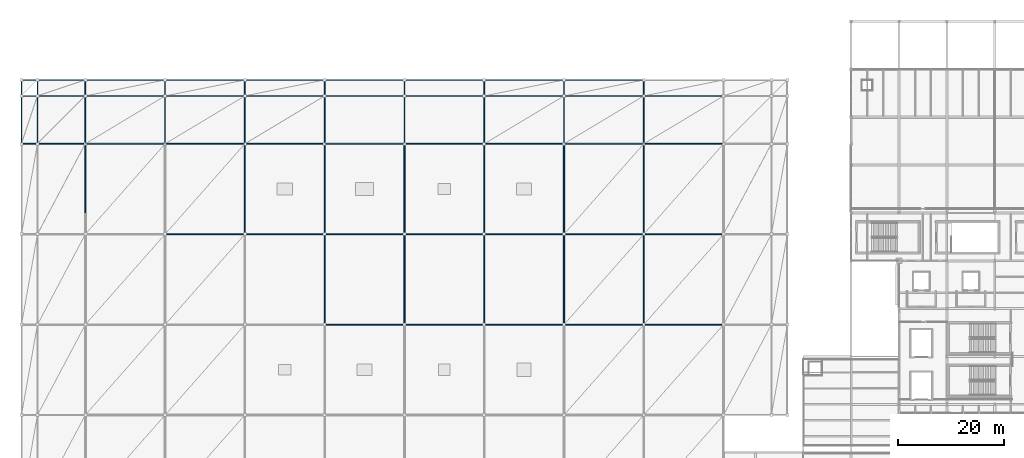
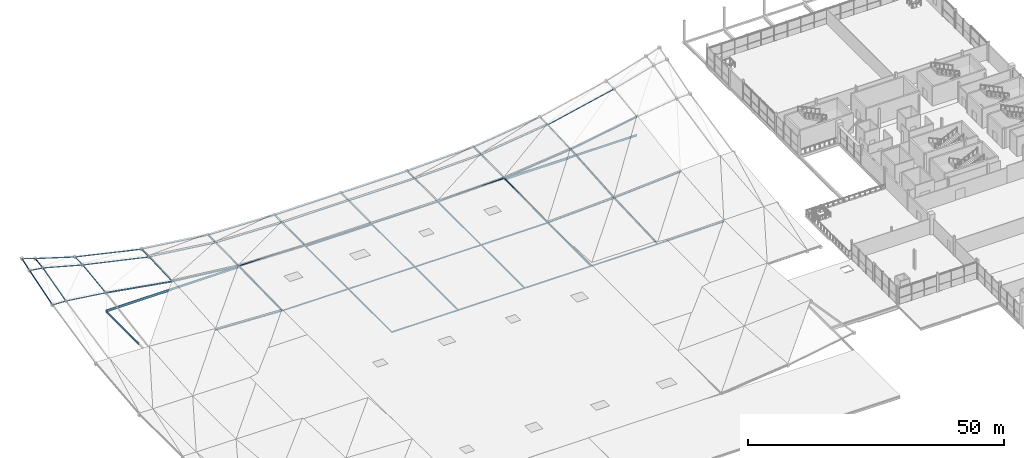
# One storey, part 12 of 69: 72 members, 6 beams.
"""IFC4 building model written with IfcOpenShell, lengths in metres."""

from ifc_helpers import new_model, si_unit, direction, frame, origin, origin_2d, place, context, subcontext, project, spatial, hollow_circle, i_section, extrude, material, material_profile, profile_set, type_object, element, save


model = new_model("IFC4")

# Units and contexts
model_context = context("Model", 3, precision=1e-05, world=origin(), true_north=direction((0.0, 1.0)))
body_context = subcontext(model_context, "Body", "Model", "MODEL_VIEW")
ifc_project = project(units=[si_unit("LENGTHUNIT", "METRE"), si_unit("AREAUNIT", "SQUARE_METRE"), si_unit("VOLUMEUNIT", "CUBIC_METRE"), si_unit("PLANEANGLEUNIT", "RADIAN"), si_unit("MASSUNIT", "GRAM", prefix="KILO")], contexts=[model_context])

# Site, building, storey
site_placement = place(None, origin())
site = spatial("IfcSite", under=ifc_project, at=site_placement, CompositionType="ELEMENT")
building_placement = place(site_placement, origin())
building = spatial("IfcBuilding", under=site, at=building_placement, Name="Qamarlyn Nura Convention Centre", CompositionType="ELEMENT")
storey_placement = place(building_placement, frame((0.0, 0.0, 15.60009765625)))
storey = spatial("IfcBuildingStorey", under=building, at=storey_placement, Name="L03", CompositionType="ELEMENT", Elevation=15.60009765625)

# Beams
ifc_material_1 = material(Name="Steel ASTM A992", Category="steel")
ifc_material_profile_1 = material_profile(ifc_material_1, i_section(OverallWidth=0.193115234375, OverallDepth=0.466064453125, WebThickness=0.011474609375, FlangeThickness=0.01904296875, FilletRadius=0.012939453125, at=origin_2d()), Name="W460X97")
ifc_profile_set_1 = profile_set([ifc_material_profile_1], Name="Steel ASTM A992")
beam_type_1 = type_object("IfcBeamType", Name="BM-SPAN-460", PredefinedType="SPANDREL", material=ifc_profile_set_1)
for number, where, z_axis, x_axis, name in (
    (1, (15.0, 103.0, -0.233154296875), (1.0, 0.0, 0.0), (0.0, 1.0, 0.0), "L03 girder M 2-3"),
    (2, (105.0, 103.0, -0.233154296875), (1.0, 0.0, 0.0), (0.0, 1.0, 0.0), "L03 girder M 8-9"),
):
    element("IfcBeam", number, at=place(storey_placement, frame(where, z_axis=z_axis, x_axis=x_axis)), inside=storey, type_object=beam_type_1, Name=name, PredefinedType="SPANDREL", context=body_context, shape_type="SweptSolid", body=[
        extrude(i_section(OverallWidth=0.193115234375, OverallDepth=0.466064453125, WebThickness=0.011474609375, FlangeThickness=0.01904296875, FilletRadius=0.012939453125, at=origin_2d()), origin(), (0.0, 0.0, 1.0), 15.0),
    ])
beam_placement = place(storey_placement, frame((0.0, 90.0, -0.233154296875), z_axis=(0.0, 1.0, 0.0), x_axis=(-1.0, 0.0, 0.0)))
element("IfcBeam", 3, at=beam_placement, inside=storey, type_object=beam_type_1, Name="L03 girder 1 L-M", PredefinedType="SPANDREL", context=body_context, shape_type="SweptSolid", body=[
    extrude(i_section(OverallWidth=0.193115234375, OverallDepth=0.466064453125, WebThickness=0.011474609375, FlangeThickness=0.01904296875, FilletRadius=0.012939453125, at=origin_2d()), origin(), (0.0, 0.0, 1.0), 13.0),
])
ifc_material_profile_2 = material_profile(ifc_material_1, i_section(OverallWidth=0.2109375, OverallDepth=0.5390625, WebThickness=0.01171875, FlangeThickness=0.018798828125, FilletRadius=0.013916015625, at=origin_2d()), Name="W530X109")
ifc_profile_set_2 = profile_set([ifc_material_profile_2], Name="Steel ASTM A992")
beam_type_2 = type_object("IfcBeamType", Name="BM-SPAN-530", PredefinedType="SPANDREL", material=ifc_profile_set_2)
for number, where, z_axis, x_axis, name in (
    (4, (0.0, 103.0, -0.26953125), (1.0, 0.0, 0.0), (0.0, 1.0, 0.0), "L03 girder M 1-2"),
    (5, (45.0, 103.0, -0.49462890625), (1.0, 0.0, 0.0), (0.0, 1.0, 0.0), "L03 girder M 4-5"),
    (6, (90.0, 103.0, -0.26953125), (1.0, 0.0, 0.0), (0.0, 1.0, 0.0), "L03 girder M 7-8"),
):
    element("IfcBeam", number, at=place(storey_placement, frame(where, z_axis=z_axis, x_axis=x_axis)), inside=storey, type_object=beam_type_2, Name=name, PredefinedType="SPANDREL", context=body_context, shape_type="SweptSolid", body=[
        extrude(i_section(OverallWidth=0.2109375, OverallDepth=0.5390625, WebThickness=0.01171875, FlangeThickness=0.018798828125, FilletRadius=0.013916015625, at=origin_2d()), origin(), (0.0, 0.0, 1.0), 15.0),
    ])

# Members
ifc_material_2 = material(Name="Pearl-white PVDF steel ASTM A500 Grade C", Category="steel")
ifc_material_profile_3 = material_profile(ifc_material_2, hollow_circle(Radius=0.122314453125, WallThickness=0.010009765625, at=origin_2d()), Name="CHS244.5X10")
ifc_profile_set_3 = profile_set([ifc_material_profile_3], Name="Pearl-white PVDF steel ASTM A500 Grade C")
member_type_1 = type_object("IfcMemberType", Name="SF-TC-EAVE", PredefinedType="CHORD", material=ifc_profile_set_3)
member_1_placement = place(storey_placement, frame((-12.0, 103.0, 5.4072265625), z_axis=(0.999427439813, 0.0, -0.033834783119), x_axis=(0.0, 1.0, 0.0)))
element("IfcMember", 7, at=member_1_placement, inside=storey, type_object=member_type_1, Name="ROOF TRUSS space frame top chord X0-7", PredefinedType="CHORD", context=body_context, shape_type="SweptSolid", body=[
    extrude(hollow_circle(Radius=0.122314453125, WallThickness=0.010009765625, at=origin_2d()), origin(), (0.0, 0.0, 1.0), 3.001708984375),
])
member_2_placement = place(storey_placement, frame((-9.0, 103.0, 5.3056640625), z_axis=(0.991347974495, 0.0, -0.131260022339), x_axis=(0.0, 1.0, 0.0)))
element("IfcMember", 8, at=member_2_placement, inside=storey, type_object=member_type_1, Name="ROOF TRUSS space frame top chord X1-7", PredefinedType="CHORD", context=body_context, shape_type="SweptSolid", body=[
    extrude(hollow_circle(Radius=0.122314453125, WallThickness=0.010009765625, at=origin_2d()), origin(), (0.0, 0.0, 1.0), 9.07861328125),
])
member_3_placement = place(storey_placement, frame((-12.0, 112.0, 8.162841796875), z_axis=(0.990696239711, 0.0, -0.136091736054), x_axis=(0.0, 1.0, 0.0)))
element("IfcMember", 9, at=member_3_placement, inside=storey, type_object=member_type_1, Name="ROOF TRUSS space frame top chord X0-8", PredefinedType="CHORD", context=body_context, shape_type="SweptSolid", body=[
    extrude(hollow_circle(Radius=0.122314453125, WallThickness=0.010009765625, at=origin_2d()), origin(), (0.0, 0.0, 1.0), 3.028076171875),
])
member_4_placement = place(storey_placement, frame((-9.0, 112.0, 7.750732421875), z_axis=(0.965021310393, 0.0, -0.262171452463), x_axis=(0.0, 1.0, 0.0)))
element("IfcMember", 10, at=member_4_placement, inside=storey, type_object=member_type_1, Name="ROOF TRUSS space frame top chord X1-8", PredefinedType="CHORD", context=body_context, shape_type="SweptSolid", body=[
    extrude(hollow_circle(Radius=0.122314453125, WallThickness=0.010009765625, at=origin_2d()), origin(), (0.0, 0.0, 1.0), 9.326171875),
])
member_5_placement = place(storey_placement, frame((0.0, 112.0, 5.3056640625), z_axis=(0.97616125858, 0.0, -0.217046532446), x_axis=(0.0, 1.0, 0.0)))
element("IfcMember", 11, at=member_5_placement, inside=storey, type_object=member_type_1, Name="ROOF TRUSS space frame top chord X2-8", PredefinedType="CHORD", context=body_context, shape_type="SweptSolid", body=[
    extrude(hollow_circle(Radius=0.122314453125, WallThickness=0.010009765625, at=origin_2d()), origin(), (0.0, 0.0, 1.0), 15.3662109375),
])
member_6_placement = place(storey_placement, frame((15.0, 112.0, 1.970458984375), z_axis=(0.992033537048, 0.0, -0.125974050391), x_axis=(0.0, 1.0, 0.0)))
element("IfcMember", 12, at=member_6_placement, inside=storey, type_object=member_type_1, Name="ROOF TRUSS space frame top chord X3-8", PredefinedType="CHORD", context=body_context, shape_type="SweptSolid", body=[
    extrude(hollow_circle(Radius=0.122314453125, WallThickness=0.010009765625, at=origin_2d()), origin(), (0.0, 0.0, 1.0), 15.120361328125),
])
member_7_placement = place(storey_placement, frame((30.0, 112.0, 0.065673828125), z_axis=(0.999518151683, 0.0, -0.031039723851), x_axis=(0.0, 1.0, 0.0)))
element("IfcMember", 13, at=member_7_placement, inside=storey, type_object=member_type_1, Name="ROOF TRUSS space frame top chord X4-8", PredefinedType="CHORD", context=body_context, shape_type="SweptSolid", body=[
    extrude(hollow_circle(Radius=0.122314453125, WallThickness=0.010009765625, at=origin_2d()), origin(), (0.0, 0.0, 1.0), 15.00732421875),
])
for number, where, z_axis, x_axis, name in (
    (14, (45.0, 112.0, -0.400146484375), (1.0, 0.0, 0.0), (0.0, 1.0, 0.0), "ROOF TRUSS space frame top chord X5-8"),
    (15, (60.0, 112.0, -0.400146484375), (1.0, 0.0, 0.0), (0.0, 1.0, 0.0), "ROOF TRUSS space frame top chord X6-8"),
):
    element("IfcMember", number, at=place(storey_placement, frame(where, z_axis=z_axis, x_axis=x_axis)), inside=storey, type_object=member_type_1, Name=name, PredefinedType="CHORD", context=body_context, shape_type="SweptSolid", body=[
        extrude(hollow_circle(Radius=0.122314453125, WallThickness=0.010009765625, at=origin_2d()), origin(), (0.0, 0.0, 1.0), 15.0),
    ])
member_8_placement = place(storey_placement, frame((75.0, 112.0, -0.400146484375), z_axis=(0.999518151683, 0.0, 0.031039723851), x_axis=(0.0, 1.0, 0.0)))
element("IfcMember", 16, at=member_8_placement, inside=storey, type_object=member_type_1, Name="ROOF TRUSS space frame top chord X7-8", PredefinedType="CHORD", context=body_context, shape_type="SweptSolid", body=[
    extrude(hollow_circle(Radius=0.122314453125, WallThickness=0.010009765625, at=origin_2d()), origin(), (0.0, 0.0, 1.0), 15.00732421875),
])
member_9_placement = place(storey_placement, frame((90.0, 112.0, 0.065673828125), z_axis=(0.992033537048, 0.0, 0.125974050391), x_axis=(0.0, 1.0, 0.0)))
element("IfcMember", 17, at=member_9_placement, inside=storey, type_object=member_type_1, Name="ROOF TRUSS space frame top chord X8-8", PredefinedType="CHORD", context=body_context, shape_type="SweptSolid", body=[
    extrude(hollow_circle(Radius=0.122314453125, WallThickness=0.010009765625, at=origin_2d()), origin(), (0.0, 0.0, 1.0), 15.120361328125),
])
member_10_placement = place(storey_placement, frame((105.0, 112.0, 1.970458984375), z_axis=(0.97616125858, 0.0, 0.217046532446), x_axis=(0.0, 1.0, 0.0)))
element("IfcMember", 18, at=member_10_placement, inside=storey, type_object=member_type_1, Name="ROOF TRUSS space frame top chord X9-8", PredefinedType="CHORD", context=body_context, shape_type="SweptSolid", body=[
    extrude(hollow_circle(Radius=0.122314453125, WallThickness=0.010009765625, at=origin_2d()), origin(), (0.0, 0.0, 1.0), 15.3662109375),
])
member_11_placement = place(storey_placement, frame((-12.0, 115.0, 9.199951171875), z_axis=(0.945117675051, 0.0, -0.326730133758), x_axis=(0.0, 1.0, 0.0)))
element("IfcMember", 19, at=member_11_placement, inside=storey, type_object=member_type_1, Name="ROOF TRUSS space frame top chord X0-9", PredefinedType="CHORD", context=body_context, shape_type="SweptSolid", body=[
    extrude(hollow_circle(Radius=0.122314453125, WallThickness=0.010009765625, at=origin_2d()), origin(), (0.0, 0.0, 1.0), 3.17431640625),
])
member_12_placement = place(storey_placement, frame((-9.0, 115.0, 8.162841796875), z_axis=(0.956184693556, 0.0, -0.29276412316), x_axis=(0.0, 1.0, 0.0)))
element("IfcMember", 20, at=member_12_placement, inside=storey, type_object=member_type_1, Name="ROOF TRUSS space frame top chord X1-9", PredefinedType="CHORD", context=body_context, shape_type="SweptSolid", body=[
    extrude(hollow_circle(Radius=0.122314453125, WallThickness=0.010009765625, at=origin_2d()), origin(), (0.0, 0.0, 1.0), 9.412353515625),
])
member_13_placement = place(storey_placement, frame((0.0, 115.0, 5.4072265625), z_axis=(0.975159042011, 0.0, -0.221505852707), x_axis=(0.0, 1.0, 0.0)))
element("IfcMember", 21, at=member_13_placement, inside=storey, type_object=member_type_1, Name="ROOF TRUSS space frame top chord X2-9", PredefinedType="CHORD", context=body_context, shape_type="SweptSolid", body=[
    extrude(hollow_circle(Radius=0.122314453125, WallThickness=0.010009765625, at=origin_2d()), origin(), (0.0, 0.0, 1.0), 15.382080078125),
])
member_14_placement = place(storey_placement, frame((15.0, 115.0, 2.0), z_axis=(0.991857054963, 0.0, -0.127356124782), x_axis=(0.0, 1.0, 0.0)))
element("IfcMember", 22, at=member_14_placement, inside=storey, type_object=member_type_1, Name="ROOF TRUSS space frame top chord X3-9", PredefinedType="CHORD", context=body_context, shape_type="SweptSolid", body=[
    extrude(hollow_circle(Radius=0.122314453125, WallThickness=0.010009765625, at=origin_2d()), origin(), (0.0, 0.0, 1.0), 15.123046875),
])
member_15_placement = place(storey_placement, frame((30.0, 115.0, 0.073974609375), z_axis=(0.999500838855, 0.0, -0.031592295395), x_axis=(0.0, 1.0, 0.0)))
element("IfcMember", 23, at=member_15_placement, inside=storey, type_object=member_type_1, Name="ROOF TRUSS space frame top chord X4-9", PredefinedType="CHORD", context=body_context, shape_type="SweptSolid", body=[
    extrude(hollow_circle(Radius=0.122314453125, WallThickness=0.010009765625, at=origin_2d()), origin(), (0.0, 0.0, 1.0), 15.007568359375),
])
for number, where, z_axis, x_axis, name in (
    (24, (45.0, 115.0, -0.400146484375), (1.0, 0.0, 0.0), (0.0, 1.0, 0.0), "ROOF TRUSS space frame top chord X5-9"),
    (25, (60.0, 115.0, -0.400146484375), (1.0, 0.0, 0.0), (0.0, 1.0, 0.0), "ROOF TRUSS space frame top chord X6-9"),
):
    element("IfcMember", number, at=place(storey_placement, frame(where, z_axis=z_axis, x_axis=x_axis)), inside=storey, type_object=member_type_1, Name=name, PredefinedType="CHORD", context=body_context, shape_type="SweptSolid", body=[
        extrude(hollow_circle(Radius=0.122314453125, WallThickness=0.010009765625, at=origin_2d()), origin(), (0.0, 0.0, 1.0), 15.0),
    ])
member_16_placement = place(storey_placement, frame((75.0, 115.0, -0.400146484375), z_axis=(0.999500838855, 0.0, 0.031592295395), x_axis=(0.0, 1.0, 0.0)))
element("IfcMember", 26, at=member_16_placement, inside=storey, type_object=member_type_1, Name="ROOF TRUSS space frame top chord X7-9", PredefinedType="CHORD", context=body_context, shape_type="SweptSolid", body=[
    extrude(hollow_circle(Radius=0.122314453125, WallThickness=0.010009765625, at=origin_2d()), origin(), (0.0, 0.0, 1.0), 15.007568359375),
])
member_17_placement = place(storey_placement, frame((90.0, 115.0, 0.073974609375), z_axis=(0.991857054963, 0.0, 0.127356124782), x_axis=(0.0, 1.0, 0.0)))
element("IfcMember", 27, at=member_17_placement, inside=storey, type_object=member_type_1, Name="ROOF TRUSS space frame top chord X8-9", PredefinedType="CHORD", context=body_context, shape_type="SweptSolid", body=[
    extrude(hollow_circle(Radius=0.122314453125, WallThickness=0.010009765625, at=origin_2d()), origin(), (0.0, 0.0, 1.0), 15.123046875),
])
member_18_placement = place(storey_placement, frame((-12.0, 103.0, 5.4072265625), z_axis=(0.0, 0.956184693556, 0.29276412316), x_axis=(-1.0, 0.0, 0.0)))
element("IfcMember", 28, at=member_18_placement, inside=storey, type_object=member_type_1, Name="ROOF TRUSS space frame top chord Y0-7", PredefinedType="CHORD", context=body_context, shape_type="SweptSolid", body=[
    extrude(hollow_circle(Radius=0.122314453125, WallThickness=0.010009765625, at=origin_2d()), origin(), (0.0, 0.0, 1.0), 9.412353515625),
])
member_19_placement = place(storey_placement, frame((-12.0, 112.0, 8.162841796875), z_axis=(0.0, 0.945117675051, 0.326730133758), x_axis=(-1.0, 0.0, 0.0)))
element("IfcMember", 29, at=member_19_placement, inside=storey, type_object=member_type_1, Name="ROOF TRUSS space frame top chord Y0-8", PredefinedType="CHORD", context=body_context, shape_type="SweptSolid", body=[
    extrude(hollow_circle(Radius=0.122314453125, WallThickness=0.010009765625, at=origin_2d()), origin(), (0.0, 0.0, 1.0), 3.17431640625),
])
member_20_placement = place(storey_placement, frame((-9.0, 103.0, 5.3056640625), z_axis=(0.0, 0.965021310393, 0.262171452463), x_axis=(-1.0, 0.0, 0.0)))
element("IfcMember", 30, at=member_20_placement, inside=storey, type_object=member_type_1, Name="ROOF TRUSS space frame top chord Y1-7", PredefinedType="CHORD", context=body_context, shape_type="SweptSolid", body=[
    extrude(hollow_circle(Radius=0.122314453125, WallThickness=0.010009765625, at=origin_2d()), origin(), (0.0, 0.0, 1.0), 9.326171875),
])
member_21_placement = place(storey_placement, frame((-9.0, 112.0, 7.750732421875), z_axis=(0.0, 0.990696239711, 0.136091736054), x_axis=(-1.0, 0.0, 0.0)))
element("IfcMember", 31, at=member_21_placement, inside=storey, type_object=member_type_1, Name="ROOF TRUSS space frame top chord Y1-8", PredefinedType="CHORD", context=body_context, shape_type="SweptSolid", body=[
    extrude(hollow_circle(Radius=0.122314453125, WallThickness=0.010009765625, at=origin_2d()), origin(), (0.0, 0.0, 1.0), 3.028076171875),
])
member_22_placement = place(storey_placement, frame((0.0, 103.0, 4.114013671875), z_axis=(0.0, 0.991347974495, 0.131260022339), x_axis=(-1.0, 0.0, 0.0)))
element("IfcMember", 32, at=member_22_placement, inside=storey, type_object=member_type_1, Name="ROOF TRUSS space frame top chord Y2-7", PredefinedType="CHORD", context=body_context, shape_type="SweptSolid", body=[
    extrude(hollow_circle(Radius=0.122314453125, WallThickness=0.010009765625, at=origin_2d()), origin(), (0.0, 0.0, 1.0), 9.07861328125),
])
member_23_placement = place(storey_placement, frame((0.0, 112.0, 5.3056640625), z_axis=(0.0, 0.999427439813, 0.033834783119), x_axis=(-1.0, 0.0, 0.0)))
element("IfcMember", 33, at=member_23_placement, inside=storey, type_object=member_type_1, Name="ROOF TRUSS space frame top chord Y2-8", PredefinedType="CHORD", context=body_context, shape_type="SweptSolid", body=[
    extrude(hollow_circle(Radius=0.122314453125, WallThickness=0.010009765625, at=origin_2d()), origin(), (0.0, 0.0, 1.0), 3.001708984375),
])
member_24_placement = place(storey_placement, frame((15.0, 103.0, 1.568603515625), z_axis=(0.0, 0.999004649677, 0.044606164642), x_axis=(-1.0, 0.0, 0.0)))
element("IfcMember", 34, at=member_24_placement, inside=storey, type_object=member_type_1, Name="ROOF TRUSS space frame top chord Y3-7", PredefinedType="CHORD", context=body_context, shape_type="SweptSolid", body=[
    extrude(hollow_circle(Radius=0.122314453125, WallThickness=0.010009765625, at=origin_2d()), origin(), (0.0, 0.0, 1.0), 9.009033203125),
])
member_25_placement = place(storey_placement, frame((15.0, 112.0, 1.970458984375), z_axis=(0.0, 0.99995152177, 0.009846527843), x_axis=(-1.0, 0.0, 0.0)))
element("IfcMember", 35, at=member_25_placement, inside=storey, type_object=member_type_1, Name="ROOF TRUSS space frame top chord Y3-8", PredefinedType="CHORD", context=body_context, shape_type="SweptSolid", body=[
    extrude(hollow_circle(Radius=0.122314453125, WallThickness=0.010009765625, at=origin_2d()), origin(), (0.0, 0.0, 1.0), 3.000244140625),
])
member_26_placement = place(storey_placement, frame((30.0, 103.0, -0.049560546875), z_axis=(0.0, 0.999918041181, 0.012802770059), x_axis=(-1.0, 0.0, 0.0)))
element("IfcMember", 36, at=member_26_placement, inside=storey, type_object=member_type_1, Name="ROOF TRUSS space frame top chord Y4-7", PredefinedType="CHORD", context=body_context, shape_type="SweptSolid", body=[
    extrude(hollow_circle(Radius=0.122314453125, WallThickness=0.010009765625, at=origin_2d()), origin(), (0.0, 0.0, 1.0), 9.000732421875),
])
member_27_placement = place(storey_placement, frame((30.0, 112.0, 0.065673828125), z_axis=(0.0, 0.999996172079, 0.002766916492), x_axis=(-1.0, 0.0, 0.0)))
element("IfcMember", 37, at=member_27_placement, inside=storey, type_object=member_type_1, Name="ROOF TRUSS space frame top chord Y4-8", PredefinedType="CHORD", context=body_context, shape_type="SweptSolid", body=[
    extrude(hollow_circle(Radius=0.122314453125, WallThickness=0.010009765625, at=origin_2d()), origin(), (0.0, 0.0, 1.0), 3.0),
])
member_28_placement = place(storey_placement, frame((45.0, 103.0, -0.400146484375), z_axis=(0.0, 1.0, 0.0), x_axis=(-1.0, 0.0, 0.0)))
element("IfcMember", 38, at=member_28_placement, inside=storey, type_object=member_type_1, Name="ROOF TRUSS space frame top chord Y5-7", PredefinedType="CHORD", context=body_context, shape_type="SweptSolid", body=[
    extrude(hollow_circle(Radius=0.122314453125, WallThickness=0.010009765625, at=origin_2d()), origin(), (0.0, 0.0, 1.0), 9.0),
])
member_29_placement = place(storey_placement, frame((45.0, 112.0, -0.400146484375), z_axis=(0.0, 1.0, 0.0), x_axis=(-1.0, 0.0, 0.0)))
element("IfcMember", 39, at=member_29_placement, inside=storey, type_object=member_type_1, Name="ROOF TRUSS space frame top chord Y5-8", PredefinedType="CHORD", context=body_context, shape_type="SweptSolid", body=[
    extrude(hollow_circle(Radius=0.122314453125, WallThickness=0.010009765625, at=origin_2d()), origin(), (0.0, 0.0, 1.0), 3.0),
])
member_30_placement = place(storey_placement, frame((60.0, 103.0, -0.400146484375), z_axis=(0.0, 1.0, 0.0), x_axis=(-1.0, 0.0, 0.0)))
element("IfcMember", 40, at=member_30_placement, inside=storey, type_object=member_type_1, Name="ROOF TRUSS space frame top chord Y6-7", PredefinedType="CHORD", context=body_context, shape_type="SweptSolid", body=[
    extrude(hollow_circle(Radius=0.122314453125, WallThickness=0.010009765625, at=origin_2d()), origin(), (0.0, 0.0, 1.0), 9.0),
])
member_31_placement = place(storey_placement, frame((60.0, 112.0, -0.400146484375), z_axis=(0.0, 1.0, 0.0), x_axis=(-1.0, 0.0, 0.0)))
element("IfcMember", 41, at=member_31_placement, inside=storey, type_object=member_type_1, Name="ROOF TRUSS space frame top chord Y6-8", PredefinedType="CHORD", context=body_context, shape_type="SweptSolid", body=[
    extrude(hollow_circle(Radius=0.122314453125, WallThickness=0.010009765625, at=origin_2d()), origin(), (0.0, 0.0, 1.0), 3.0),
])
member_32_placement = place(storey_placement, frame((75.0, 103.0, -0.400146484375), z_axis=(0.0, 1.0, 0.0), x_axis=(-1.0, 0.0, 0.0)))
element("IfcMember", 42, at=member_32_placement, inside=storey, type_object=member_type_1, Name="ROOF TRUSS space frame top chord Y7-7", PredefinedType="CHORD", context=body_context, shape_type="SweptSolid", body=[
    extrude(hollow_circle(Radius=0.122314453125, WallThickness=0.010009765625, at=origin_2d()), origin(), (0.0, 0.0, 1.0), 9.0),
])
member_33_placement = place(storey_placement, frame((75.0, 112.0, -0.400146484375), z_axis=(0.0, 1.0, 0.0), x_axis=(-1.0, 0.0, 0.0)))
element("IfcMember", 43, at=member_33_placement, inside=storey, type_object=member_type_1, Name="ROOF TRUSS space frame top chord Y7-8", PredefinedType="CHORD", context=body_context, shape_type="SweptSolid", body=[
    extrude(hollow_circle(Radius=0.122314453125, WallThickness=0.010009765625, at=origin_2d()), origin(), (0.0, 0.0, 1.0), 3.0),
])
member_34_placement = place(storey_placement, frame((90.0, 103.0, -0.049560546875), z_axis=(0.0, 0.999918041181, 0.012802770059), x_axis=(-1.0, 0.0, 0.0)))
element("IfcMember", 44, at=member_34_placement, inside=storey, type_object=member_type_1, Name="ROOF TRUSS space frame top chord Y8-7", PredefinedType="CHORD", context=body_context, shape_type="SweptSolid", body=[
    extrude(hollow_circle(Radius=0.122314453125, WallThickness=0.010009765625, at=origin_2d()), origin(), (0.0, 0.0, 1.0), 9.000732421875),
])
member_35_placement = place(storey_placement, frame((90.0, 112.0, 0.065673828125), z_axis=(0.0, 0.999996172079, 0.002766916492), x_axis=(-1.0, 0.0, 0.0)))
element("IfcMember", 45, at=member_35_placement, inside=storey, type_object=member_type_1, Name="ROOF TRUSS space frame top chord Y8-8", PredefinedType="CHORD", context=body_context, shape_type="SweptSolid", body=[
    extrude(hollow_circle(Radius=0.122314453125, WallThickness=0.010009765625, at=origin_2d()), origin(), (0.0, 0.0, 1.0), 3.0),
])
member_36_placement = place(storey_placement, frame((105.0, 103.0, 1.568603515625), z_axis=(0.0, 0.999004649677, 0.044606164642), x_axis=(-1.0, 0.0, 0.0)))
element("IfcMember", 46, at=member_36_placement, inside=storey, type_object=member_type_1, Name="ROOF TRUSS space frame top chord Y9-7", PredefinedType="CHORD", context=body_context, shape_type="SweptSolid", body=[
    extrude(hollow_circle(Radius=0.122314453125, WallThickness=0.010009765625, at=origin_2d()), origin(), (0.0, 0.0, 1.0), 9.009033203125),
])
member_37_placement = place(storey_placement, frame((105.0, 112.0, 1.970458984375), z_axis=(0.0, 0.99995152177, 0.009846527843), x_axis=(-1.0, 0.0, 0.0)))
element("IfcMember", 47, at=member_37_placement, inside=storey, type_object=member_type_1, Name="ROOF TRUSS space frame top chord Y9-8", PredefinedType="CHORD", context=body_context, shape_type="SweptSolid", body=[
    extrude(hollow_circle(Radius=0.122314453125, WallThickness=0.010009765625, at=origin_2d()), origin(), (0.0, 0.0, 1.0), 3.000244140625),
])
ifc_material_profile_4 = material_profile(ifc_material_2, hollow_circle(Radius=0.177734375, WallThickness=0.01611328125, at=origin_2d()), Name="CHS355.6X16")
ifc_profile_set_4 = profile_set([ifc_material_profile_4], Name="Pearl-white PVDF steel ASTM A500 Grade C")
member_type_2 = type_object("IfcMemberType", Name="SF-TC-HEAVY", PredefinedType="CHORD", material=ifc_profile_set_4)
member_38_placement = place(storey_placement, frame((0.0, 103.0, 4.114013671875), z_axis=(0.985905647627, 0.0, -0.167302283238), x_axis=(0.0, 1.0, 0.0)))
element("IfcMember", 48, at=member_38_placement, inside=storey, type_object=member_type_2, Name="ROOF TRUSS space frame top chord X2-7", PredefinedType="CHORD", context=body_context, shape_type="SweptSolid", body=[
    extrude(hollow_circle(Radius=0.177734375, WallThickness=0.01611328125, at=origin_2d()), origin(), (0.0, 0.0, 1.0), 15.21435546875),
])
member_39_placement = place(storey_placement, frame((15.0, 103.0, 1.568603515625), z_axis=(0.994231511141, 0.0, -0.107255313409), x_axis=(0.0, 1.0, 0.0)))
element("IfcMember", 49, at=member_39_placement, inside=storey, type_object=member_type_2, Name="ROOF TRUSS space frame top chord X3-7", PredefinedType="CHORD", context=body_context, shape_type="SweptSolid", body=[
    extrude(hollow_circle(Radius=0.177734375, WallThickness=0.01611328125, at=origin_2d()), origin(), (0.0, 0.0, 1.0), 15.0869140625),
])
member_40_placement = place(storey_placement, frame((30.0, 103.0, -0.049560546875), z_axis=(0.999726977409, 0.0, -0.023366014641), x_axis=(0.0, 1.0, 0.0)))
element("IfcMember", 50, at=member_40_placement, inside=storey, type_object=member_type_2, Name="ROOF TRUSS space frame top chord X4-7", PredefinedType="CHORD", context=body_context, shape_type="SweptSolid", body=[
    extrude(hollow_circle(Radius=0.177734375, WallThickness=0.01611328125, at=origin_2d()), origin(), (0.0, 0.0, 1.0), 15.004150390625),
])
for number, where, z_axis, x_axis, name in (
    (51, (45.0, 103.0, -0.400146484375), (1.0, 0.0, 0.0), (0.0, 1.0, 0.0), "ROOF TRUSS space frame top chord X5-7"),
    (52, (60.0, 103.0, -0.400146484375), (1.0, 0.0, 0.0), (0.0, 1.0, 0.0), "ROOF TRUSS space frame top chord X6-7"),
):
    element("IfcMember", number, at=place(storey_placement, frame(where, z_axis=z_axis, x_axis=x_axis)), inside=storey, type_object=member_type_2, Name=name, PredefinedType="CHORD", context=body_context, shape_type="SweptSolid", body=[
        extrude(hollow_circle(Radius=0.177734375, WallThickness=0.01611328125, at=origin_2d()), origin(), (0.0, 0.0, 1.0), 15.0),
    ])
member_41_placement = place(storey_placement, frame((75.0, 103.0, -0.400146484375), z_axis=(0.999726977409, 0.0, 0.023366014641), x_axis=(0.0, 1.0, 0.0)))
element("IfcMember", 53, at=member_41_placement, inside=storey, type_object=member_type_2, Name="ROOF TRUSS space frame top chord X7-7", PredefinedType="CHORD", context=body_context, shape_type="SweptSolid", body=[
    extrude(hollow_circle(Radius=0.177734375, WallThickness=0.01611328125, at=origin_2d()), origin(), (0.0, 0.0, 1.0), 15.004150390625),
])
member_42_placement = place(storey_placement, frame((90.0, 103.0, -0.049560546875), z_axis=(0.994231511141, 0.0, 0.107255313409), x_axis=(0.0, 1.0, 0.0)))
element("IfcMember", 54, at=member_42_placement, inside=storey, type_object=member_type_2, Name="ROOF TRUSS space frame top chord X8-7", PredefinedType="CHORD", context=body_context, shape_type="SweptSolid", body=[
    extrude(hollow_circle(Radius=0.177734375, WallThickness=0.01611328125, at=origin_2d()), origin(), (0.0, 0.0, 1.0), 15.0869140625),
])
member_43_placement = place(storey_placement, frame((105.0, 103.0, 1.568603515625), z_axis=(0.985905647627, 0.0, 0.167302283238), x_axis=(0.0, 1.0, 0.0)))
element("IfcMember", 55, at=member_43_placement, inside=storey, type_object=member_type_2, Name="ROOF TRUSS space frame top chord X9-7", PredefinedType="CHORD", context=body_context, shape_type="SweptSolid", body=[
    extrude(hollow_circle(Radius=0.177734375, WallThickness=0.01611328125, at=origin_2d()), origin(), (0.0, 0.0, 1.0), 15.21435546875),
])
ifc_material_profile_5 = material_profile(ifc_material_2, hollow_circle(Radius=0.161865234375, WallThickness=0.012451171875, at=origin_2d()), Name="CHS323.9X12.5")
ifc_profile_set_5 = profile_set([ifc_material_profile_5], Name="Pearl-white PVDF steel ASTM A500 Grade C")
member_type_3 = type_object("IfcMemberType", Name="SF-TC-MAIN", PredefinedType="CHORD", material=ifc_profile_set_5)
for number, where, z_axis, x_axis, name in (
    (56, (45.0, 69.0, -0.400146484375), (1.0, 0.0, 0.0), (0.0, 1.0, 0.0), "ROOF TRUSS space frame top chord X5-5"),
    (57, (60.0, 69.0, -0.400146484375), (1.0, 0.0, 0.0), (0.0, 1.0, 0.0), "ROOF TRUSS space frame top chord X6-5"),
    (58, (75.0, 69.0, -0.400146484375), (1.0, 0.0, 0.0), (0.0, 1.0, 0.0), "ROOF TRUSS space frame top chord X7-5"),
    (59, (90.0, 69.0, -0.400146484375), (0.999999995232, 0.0, 9.765625e-05), (0.0, 1.0, 0.0), "ROOF TRUSS space frame top chord X8-5"),
):
    element("IfcMember", number, at=place(storey_placement, frame(where, z_axis=z_axis, x_axis=x_axis)), inside=storey, type_object=member_type_3, Name=name, PredefinedType="CHORD", context=body_context, shape_type="SweptSolid", body=[
        extrude(hollow_circle(Radius=0.161865234375, WallThickness=0.012451171875, at=origin_2d()), origin(), (0.0, 0.0, 1.0), 15.0),
    ])
member_44_placement = place(storey_placement, frame((105.0, 69.0, -0.398681640625), z_axis=(0.999958908574, 0.0, 0.009065382684), x_axis=(0.0, 1.0, 0.0)))
element("IfcMember", 60, at=member_44_placement, inside=storey, type_object=member_type_3, Name="ROOF TRUSS space frame top chord X9-5", PredefinedType="CHORD", context=body_context, shape_type="SweptSolid", body=[
    extrude(hollow_circle(Radius=0.161865234375, WallThickness=0.012451171875, at=origin_2d()), origin(), (0.0, 0.0, 1.0), 15.000732421875),
])
member_45_placement = place(storey_placement, frame((15.0, 86.0, 0.280517578125), z_axis=(0.999057783726, 0.0, -0.043399824622), x_axis=(0.0, 1.0, 0.0)))
element("IfcMember", 61, at=member_45_placement, inside=storey, type_object=member_type_3, Name="ROOF TRUSS space frame top chord X3-6", PredefinedType="CHORD", context=body_context, shape_type="SweptSolid", body=[
    extrude(hollow_circle(Radius=0.161865234375, WallThickness=0.012451171875, at=origin_2d()), origin(), (0.0, 0.0, 1.0), 15.01416015625),
])
for number, where, z_axis, x_axis, name in (
    (62, (30.0, 86.0, -0.37109375), (0.999998124313, 0.0, -0.001936845325), (0.0, 1.0, 0.0), "ROOF TRUSS space frame top chord X4-6"),
    (63, (45.0, 86.0, -0.400146484375), (1.0, 0.0, 0.0), (0.0, 1.0, 0.0), "ROOF TRUSS space frame top chord X5-6"),
    (64, (60.0, 86.0, -0.400146484375), (1.0, 0.0, 0.0), (0.0, 1.0, 0.0), "ROOF TRUSS space frame top chord X6-6"),
    (65, (75.0, 86.0, -0.400146484375), (0.999998124313, 0.0, 0.001936845325), (0.0, 1.0, 0.0), "ROOF TRUSS space frame top chord X7-6"),
):
    element("IfcMember", number, at=place(storey_placement, frame(where, z_axis=z_axis, x_axis=x_axis)), inside=storey, type_object=member_type_3, Name=name, PredefinedType="CHORD", context=body_context, shape_type="SweptSolid", body=[
        extrude(hollow_circle(Radius=0.161865234375, WallThickness=0.012451171875, at=origin_2d()), origin(), (0.0, 0.0, 1.0), 15.0),
    ])
member_46_placement = place(storey_placement, frame((90.0, 86.0, -0.37109375), z_axis=(0.999057783726, 0.0, 0.043399824622), x_axis=(0.0, 1.0, 0.0)))
element("IfcMember", 66, at=member_46_placement, inside=storey, type_object=member_type_3, Name="ROOF TRUSS space frame top chord X8-6", PredefinedType="CHORD", context=body_context, shape_type="SweptSolid", body=[
    extrude(hollow_circle(Radius=0.161865234375, WallThickness=0.012451171875, at=origin_2d()), origin(), (0.0, 0.0, 1.0), 15.01416015625),
])
member_47_placement = place(storey_placement, frame((105.0, 86.0, 0.280517578125), z_axis=(0.997771123533, 0.0, 0.066729191839), x_axis=(0.0, 1.0, 0.0)))
element("IfcMember", 67, at=member_47_placement, inside=storey, type_object=member_type_3, Name="ROOF TRUSS space frame top chord X9-6", PredefinedType="CHORD", context=body_context, shape_type="SweptSolid", body=[
    extrude(hollow_circle(Radius=0.161865234375, WallThickness=0.012451171875, at=origin_2d()), origin(), (0.0, 0.0, 1.0), 15.033447265625),
])
member_48_placement = place(storey_placement, frame((30.0, 86.0, -0.37109375), z_axis=(0.0, 0.999821183613, 0.018910335748), x_axis=(-1.0, 0.0, 0.0)))
element("IfcMember", 68, at=member_48_placement, inside=storey, type_object=member_type_3, Name="ROOF TRUSS space frame top chord Y4-6", PredefinedType="CHORD", context=body_context, shape_type="SweptSolid", body=[
    extrude(hollow_circle(Radius=0.161865234375, WallThickness=0.012451171875, at=origin_2d()), origin(), (0.0, 0.0, 1.0), 17.0029296875),
])
for number, where, z_axis, x_axis, name in (
    (69, (45.0, 69.0, -0.400146484375), (0.0, 1.0, 0.0), (-1.0, 0.0, 0.0), "ROOF TRUSS space frame top chord Y5-5"),
    (70, (45.0, 86.0, -0.400146484375), (0.0, 1.0, 0.0), (-1.0, 0.0, 0.0), "ROOF TRUSS space frame top chord Y5-6"),
    (71, (60.0, 69.0, -0.400146484375), (0.0, 1.0, 0.0), (-1.0, 0.0, 0.0), "ROOF TRUSS space frame top chord Y6-5"),
    (72, (60.0, 86.0, -0.400146484375), (0.0, 1.0, 0.0), (-1.0, 0.0, 0.0), "ROOF TRUSS space frame top chord Y6-6"),
    (73, (75.0, 69.0, -0.400146484375), (0.0, 1.0, 0.0), (-1.0, 0.0, 0.0), "ROOF TRUSS space frame top chord Y7-5"),
    (74, (75.0, 86.0, -0.400146484375), (0.0, 1.0, 0.0), (-1.0, 0.0, 0.0), "ROOF TRUSS space frame top chord Y7-6"),
    (75, (90.0, 69.0, -0.400146484375), (0.0, 0.999998539689, 0.001708981879), (-1.0, 0.0, 0.0), "ROOF TRUSS space frame top chord Y8-5"),
):
    element("IfcMember", number, at=place(storey_placement, frame(where, z_axis=z_axis, x_axis=x_axis)), inside=storey, type_object=member_type_3, Name=name, PredefinedType="CHORD", context=body_context, shape_type="SweptSolid", body=[
        extrude(hollow_circle(Radius=0.161865234375, WallThickness=0.012451171875, at=origin_2d()), origin(), (0.0, 0.0, 1.0), 17.0),
    ])
member_49_placement = place(storey_placement, frame((90.0, 86.0, -0.37109375), z_axis=(0.0, 0.999821183613, 0.018910335748), x_axis=(-1.0, 0.0, 0.0)))
element("IfcMember", 76, at=member_49_placement, inside=storey, type_object=member_type_3, Name="ROOF TRUSS space frame top chord Y8-6", PredefinedType="CHORD", context=body_context, shape_type="SweptSolid", body=[
    extrude(hollow_circle(Radius=0.161865234375, WallThickness=0.012451171875, at=origin_2d()), origin(), (0.0, 0.0, 1.0), 17.0029296875),
])
member_50_placement = place(storey_placement, frame((105.0, 69.0, -0.398681640625), z_axis=(0.0, 0.999202837298, 0.039921046263), x_axis=(-1.0, 0.0, 0.0)))
element("IfcMember", 77, at=member_50_placement, inside=storey, type_object=member_type_3, Name="ROOF TRUSS space frame top chord Y9-5", PredefinedType="CHORD", context=body_context, shape_type="SweptSolid", body=[
    extrude(hollow_circle(Radius=0.161865234375, WallThickness=0.012451171875, at=origin_2d()), origin(), (0.0, 0.0, 1.0), 17.013671875),
])
member_51_placement = place(storey_placement, frame((105.0, 86.0, 0.280517578125), z_axis=(0.0, 0.997141772719, 0.075553193831), x_axis=(-1.0, 0.0, 0.0)))
element("IfcMember", 78, at=member_51_placement, inside=storey, type_object=member_type_3, Name="ROOF TRUSS space frame top chord Y9-6", PredefinedType="CHORD", context=body_context, shape_type="SweptSolid", body=[
    extrude(hollow_circle(Radius=0.161865234375, WallThickness=0.012451171875, at=origin_2d()), origin(), (0.0, 0.0, 1.0), 17.048828125),
])

save(model, "model.ifc")
